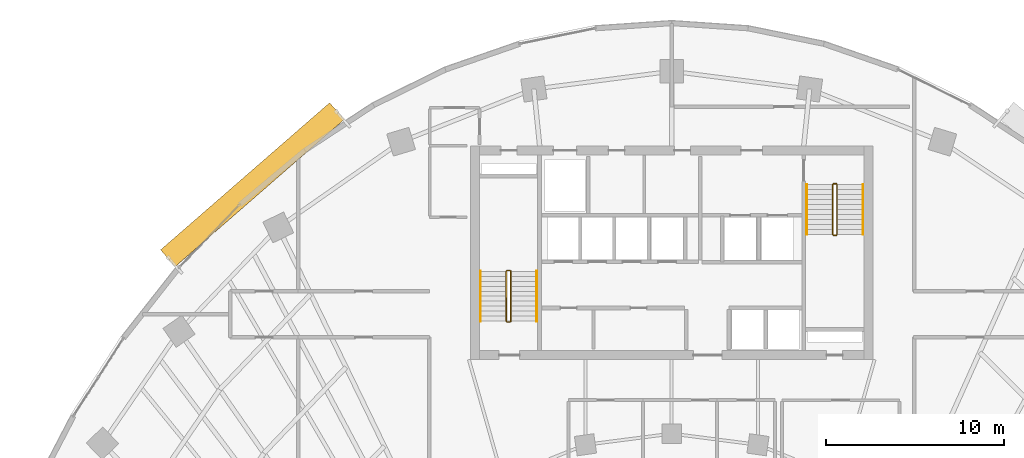
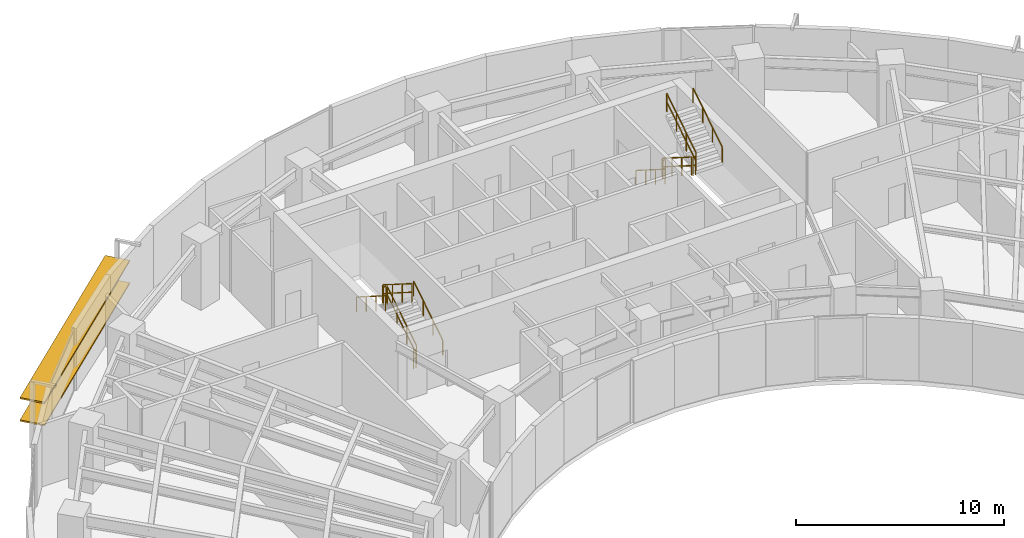
# One storey, part 12 of 13: 12 railings, 2 shading devices.
"""IFC4 building model written with IfcOpenShell, lengths in metres."""

from ifc_helpers import new_model, si_unit, direction, frame, origin, origin_2d, place, context, subcontext, project, spatial, rectangle, extrude, source, transform, mapped, material, material_profile, profile_set, type_object, element, save


model = new_model("IFC4")

# Units and contexts
model_context = context("Model", 3, precision=1e-05, world=origin(), true_north=direction((0.0, 1.0)))
body_context = subcontext(model_context, "Body", "Model", "MODEL_VIEW")
ifc_project = project(units=[si_unit("LENGTHUNIT", "METRE"), si_unit("AREAUNIT", "SQUARE_METRE"), si_unit("VOLUMEUNIT", "CUBIC_METRE"), si_unit("PLANEANGLEUNIT", "RADIAN"), si_unit("MASSUNIT", "GRAM", prefix="KILO")], contexts=[model_context])

# Site, building, storey
site_placement = place(None, origin())
site = spatial("IfcSite", under=ifc_project, at=site_placement, CompositionType="ELEMENT")
building_placement = place(site_placement, origin())
building = spatial("IfcBuilding", under=site, at=building_placement, Name="Breltana Convention Tower", CompositionType="ELEMENT")
storey_placement = place(building_placement, frame((0.0, 0.0, 107.699951171875)))
storey = spatial("IfcBuildingStorey", under=building, at=storey_placement, Name="L25", CompositionType="ELEMENT", Elevation=107.699951171875)

# Railings
ifc_material_1 = material(Name="Steel S275 Painted", Category="steel")
railing_type_1 = type_object("IfcRailingType", Name="RL-STAIR-GUARD-1100", PredefinedType="GUARDRAIL", material=ifc_material_1)
railing_1_placement = place(storey_placement, frame((38.9599609375, 62.360107421875, 0.17724609375)))
element("IfcRailing", 1, at=railing_1_placement, inside=storey, type_object=railing_type_1, Name="L25 ST-1 stair guard 1", PredefinedType="GUARDRAIL", context=body_context, shape_type="SweptSolid", body=[
    extrude(rectangle(XDim=0.048095703125, YDim=0.048095703125, at=origin_2d()), frame((0.0, 0.0, 1.076171875), z_axis=(0.0, 0.844887892834, 0.53494340686), x_axis=(-1.0, 0.0, 0.0)), (0.0, 0.0, 1.0), 3.313720703125),
    extrude(rectangle(XDim=0.048095703125, YDim=0.048095703125, at=origin_2d()), frame((0.0, 0.0, 0.572021484375), z_axis=(0.0, 0.844887892834, 0.53494340686), x_axis=(-1.0, 0.0, 0.0)), (0.0, 0.0, 1.0), 3.313720703125),
    extrude(rectangle(XDim=0.0419921875, YDim=0.0419921875, at=origin_2d()), origin(), (0.0, 0.0, 1.0), 1.052001953125),
    extrude(rectangle(XDim=0.0419921875, YDim=0.0419921875, at=origin_2d()), frame((0.0, 0.933349609375, 0.5908203125)), (0.0, 0.0, 1.0), 1.052001953125),
    extrude(rectangle(XDim=0.0419921875, YDim=0.0419921875, at=origin_2d()), frame((0.0, 1.866455078125, 1.181884765625)), (0.0, 0.0, 1.0), 1.052001953125),
    extrude(rectangle(XDim=0.0419921875, YDim=0.0419921875, at=origin_2d()), frame((0.0, 2.7998046875, 1.772705078125)), (0.0, 0.0, 1.0), 1.052001953125),
])
railing_2_placement = place(storey_placement, frame((38.909912109375, 65.2099609375, 1.949951171875)))
element("IfcRailing", 2, at=railing_2_placement, inside=storey, type_object=railing_type_1, Name="L25 ST-1 stair guard 2", PredefinedType="GUARDRAIL", context=body_context, shape_type="SweptSolid", body=[
    extrude(rectangle(XDim=0.048095703125, YDim=0.048095703125, at=origin_2d()), frame((0.0, 0.0, 1.076171875), z_axis=(-1.0, 0.0, 0.0), x_axis=(0.0, -1.0, 0.0)), (0.0, 0.0, 1.0), 0.14990234375),
    extrude(rectangle(XDim=0.048095703125, YDim=0.048095703125, at=origin_2d()), frame((0.0, 0.0, 0.572021484375), z_axis=(-1.0, 0.0, 0.0), x_axis=(0.0, -1.0, 0.0)), (0.0, 0.0, 1.0), 0.14990234375),
    extrude(rectangle(XDim=0.0419921875, YDim=0.0419921875, at=origin_2d()), origin(), (0.0, 0.0, 1.0), 1.052001953125),
    extrude(rectangle(XDim=0.0419921875, YDim=0.0419921875, at=origin_2d()), frame((-0.14990234375, 0.0, 0.0)), (0.0, 0.0, 1.0), 1.052001953125),
])
railing_3_placement = place(storey_placement, frame((38.7099609375, 65.159912109375, 2.12744140625)))
element("IfcRailing", 3, at=railing_3_placement, inside=storey, type_object=railing_type_1, Name="L25 ST-1 stair guard 3", PredefinedType="GUARDRAIL", context=body_context, shape_type="SweptSolid", body=[
    extrude(rectangle(XDim=0.048095703125, YDim=0.048095703125, at=origin_2d()), frame((0.0, 0.0, 1.076171875), z_axis=(0.0, -0.844887892834, 0.53494340686), x_axis=(1.0, 0.0, 0.0)), (0.0, 0.0, 1.0), 3.313720703125),
    extrude(rectangle(XDim=0.048095703125, YDim=0.048095703125, at=origin_2d()), frame((0.0, 0.0, 0.572021484375), z_axis=(0.0, -0.844887892834, 0.53494340686), x_axis=(1.0, 0.0, 0.0)), (0.0, 0.0, 1.0), 3.313720703125),
    extrude(rectangle(XDim=0.0419921875, YDim=0.0419921875, at=origin_2d()), origin(), (0.0, 0.0, 1.0), 1.052001953125),
    extrude(rectangle(XDim=0.0419921875, YDim=0.0419921875, at=origin_2d()), frame((0.0, -0.933349609375, 0.5908203125)), (0.0, 0.0, 1.0), 1.052001953125),
    extrude(rectangle(XDim=0.0419921875, YDim=0.0419921875, at=origin_2d()), frame((0.0, -1.866455078125, 1.181884765625)), (0.0, 0.0, 1.0), 1.052001953125),
    extrude(rectangle(XDim=0.0419921875, YDim=0.0419921875, at=origin_2d()), frame((0.0, -2.7998046875, 1.772705078125)), (0.0, 0.0, 1.0), 1.052001953125),
])
railing_4_placement = place(storey_placement, frame((38.909912109375, 62.31005859375, 0.0)))
element("IfcRailing", 4, at=railing_4_placement, inside=storey, type_object=railing_type_1, Name="L25 ST-1 stair guard 4", PredefinedType="GUARDRAIL", context=body_context, shape_type="SweptSolid", body=[
    extrude(rectangle(XDim=0.048095703125, YDim=0.048095703125, at=origin_2d()), frame((0.0, 0.0, 1.076171875), z_axis=(-1.0, 0.0, 0.0), x_axis=(0.0, -1.0, 0.0)), (0.0, 0.0, 1.0), 0.14990234375),
    extrude(rectangle(XDim=0.048095703125, YDim=0.048095703125, at=origin_2d()), frame((0.0, 0.0, 0.572021484375), z_axis=(-1.0, 0.0, 0.0), x_axis=(0.0, -1.0, 0.0)), (0.0, 0.0, 1.0), 0.14990234375),
    extrude(rectangle(XDim=0.0419921875, YDim=0.0419921875, at=origin_2d()), origin(), (0.0, 0.0, 1.0), 1.052001953125),
    extrude(rectangle(XDim=0.0419921875, YDim=0.0419921875, at=origin_2d()), frame((-0.14990234375, 0.0, 0.0)), (0.0, 0.0, 1.0), 1.052001953125),
])
railing_5_placement = place(storey_placement, frame((57.0400390625, 70.0400390625, 0.17724609375)))
element("IfcRailing", 5, at=railing_5_placement, inside=storey, type_object=railing_type_1, Name="L25 ST-2 stair guard 1", PredefinedType="GUARDRAIL", context=body_context, shape_type="SweptSolid", body=[
    extrude(rectangle(XDim=0.048095703125, YDim=0.048095703125, at=origin_2d()), frame((0.0, 0.0, 1.076171875), z_axis=(0.0, -0.844908973607, 0.534910110503), x_axis=(1.0, 0.0, 0.0)), (0.0, 0.0, 1.0), 3.31396484375),
    extrude(rectangle(XDim=0.048095703125, YDim=0.048095703125, at=origin_2d()), frame((0.0, 0.0, 0.572021484375), z_axis=(0.0, -0.844908973607, 0.534910110503), x_axis=(1.0, 0.0, 0.0)), (0.0, 0.0, 1.0), 3.31396484375),
    extrude(rectangle(XDim=0.0419921875, YDim=0.0419921875, at=origin_2d()), origin(), (0.0, 0.0, 1.0), 1.052001953125),
    extrude(rectangle(XDim=0.0419921875, YDim=0.0419921875, at=origin_2d()), frame((0.0, -0.933349609375, 0.5908203125)), (0.0, 0.0, 1.0), 1.052001953125),
    extrude(rectangle(XDim=0.0419921875, YDim=0.0419921875, at=origin_2d()), frame((0.0, -1.86669921875, 1.181884765625)), (0.0, 0.0, 1.0), 1.052001953125),
    extrude(rectangle(XDim=0.0419921875, YDim=0.0419921875, at=origin_2d()), frame((0.0, -2.800048828125, 1.772705078125)), (0.0, 0.0, 1.0), 1.052001953125),
])
railing_6_placement = place(storey_placement, frame((57.090087890625, 67.18994140625, 1.949951171875)))
element("IfcRailing", 6, at=railing_6_placement, inside=storey, type_object=railing_type_1, Name="L25 ST-2 stair guard 2", PredefinedType="GUARDRAIL", context=body_context, shape_type="SweptSolid", body=[
    extrude(rectangle(XDim=0.048095703125, YDim=0.048095703125, at=origin_2d()), frame((0.0, 0.0, 1.076171875), z_axis=(1.0, 0.0, 0.0), x_axis=(0.0, 1.0, 0.0)), (0.0, 0.0, 1.0), 0.14990234375),
    extrude(rectangle(XDim=0.048095703125, YDim=0.048095703125, at=origin_2d()), frame((0.0, 0.0, 0.572021484375), z_axis=(1.0, 0.0, 0.0), x_axis=(0.0, 1.0, 0.0)), (0.0, 0.0, 1.0), 0.14990234375),
    extrude(rectangle(XDim=0.0419921875, YDim=0.0419921875, at=origin_2d()), origin(), (0.0, 0.0, 1.0), 1.052001953125),
    extrude(rectangle(XDim=0.0419921875, YDim=0.0419921875, at=origin_2d()), frame((0.14990234375, 0.0, 0.0)), (0.0, 0.0, 1.0), 1.052001953125),
])
railing_7_placement = place(storey_placement, frame((57.2900390625, 67.239990234375, 2.12744140625)))
element("IfcRailing", 7, at=railing_7_placement, inside=storey, type_object=railing_type_1, Name="L25 ST-2 stair guard 3", PredefinedType="GUARDRAIL", context=body_context, shape_type="SweptSolid", body=[
    extrude(rectangle(XDim=0.048095703125, YDim=0.048095703125, at=origin_2d()), frame((0.0, 0.0, 1.076171875), z_axis=(0.0, 0.844908973607, 0.534910110503), x_axis=(-1.0, 0.0, 0.0)), (0.0, 0.0, 1.0), 3.31396484375),
    extrude(rectangle(XDim=0.048095703125, YDim=0.048095703125, at=origin_2d()), frame((0.0, 0.0, 0.572021484375), z_axis=(0.0, 0.844908973607, 0.534910110503), x_axis=(-1.0, 0.0, 0.0)), (0.0, 0.0, 1.0), 3.31396484375),
    extrude(rectangle(XDim=0.0419921875, YDim=0.0419921875, at=origin_2d()), origin(), (0.0, 0.0, 1.0), 1.052001953125),
    extrude(rectangle(XDim=0.0419921875, YDim=0.0419921875, at=origin_2d()), frame((0.0, 0.933349609375, 0.5908203125)), (0.0, 0.0, 1.0), 1.052001953125),
    extrude(rectangle(XDim=0.0419921875, YDim=0.0419921875, at=origin_2d()), frame((0.0, 1.86669921875, 1.181884765625)), (0.0, 0.0, 1.0), 1.052001953125),
    extrude(rectangle(XDim=0.0419921875, YDim=0.0419921875, at=origin_2d()), frame((0.0, 2.800048828125, 1.772705078125)), (0.0, 0.0, 1.0), 1.052001953125),
])
railing_8_placement = place(storey_placement, frame((57.090087890625, 70.090087890625, 0.0)))
element("IfcRailing", 8, at=railing_8_placement, inside=storey, type_object=railing_type_1, Name="L25 ST-2 stair guard 4", PredefinedType="GUARDRAIL", context=body_context, shape_type="SweptSolid", body=[
    extrude(rectangle(XDim=0.048095703125, YDim=0.048095703125, at=origin_2d()), frame((0.0, 0.0, 1.076171875), z_axis=(1.0, 0.0, 0.0), x_axis=(0.0, 1.0, 0.0)), (0.0, 0.0, 1.0), 0.14990234375),
    extrude(rectangle(XDim=0.048095703125, YDim=0.048095703125, at=origin_2d()), frame((0.0, 0.0, 0.572021484375), z_axis=(1.0, 0.0, 0.0), x_axis=(0.0, 1.0, 0.0)), (0.0, 0.0, 1.0), 0.14990234375),
    extrude(rectangle(XDim=0.0419921875, YDim=0.0419921875, at=origin_2d()), origin(), (0.0, 0.0, 1.0), 1.052001953125),
    extrude(rectangle(XDim=0.0419921875, YDim=0.0419921875, at=origin_2d()), frame((0.14990234375, 0.0, 0.0)), (0.0, 0.0, 1.0), 1.052001953125),
])
ifc_material_2 = material(Name="Stainless Steel 316L", Category="steel")
railing_type_2 = type_object("IfcRailingType", Name="RL-STAIR-HANDRAIL-900", PredefinedType="HANDRAIL", material=ifc_material_2)
railing_9_placement = place(storey_placement, frame((40.419921875, 62.360107421875, 0.17724609375)))
element("IfcRailing", 9, at=railing_9_placement, inside=storey, type_object=railing_type_2, Name="L25 ST-1 stair handrail 1", PredefinedType="HANDRAIL", context=body_context, shape_type="SweptSolid", body=[
    extrude(rectangle(XDim=0.048095703125, YDim=0.048095703125, at=origin_2d()), frame((0.0, 0.0, 0.8759765625), z_axis=(0.0, 0.844887892834, 0.53494340686), x_axis=(-1.0, 0.0, 0.0)), (0.0, 0.0, 1.0), 3.313720703125),
    extrude(rectangle(XDim=0.0419921875, YDim=0.0419921875, at=origin_2d()), origin(), (0.0, 0.0, 1.0), 0.851806640625),
    extrude(rectangle(XDim=0.0419921875, YDim=0.0419921875, at=origin_2d()), frame((0.0, 0.933349609375, 0.5908203125)), (0.0, 0.0, 1.0), 0.851806640625),
    extrude(rectangle(XDim=0.0419921875, YDim=0.0419921875, at=origin_2d()), frame((0.0, 1.866455078125, 1.181884765625)), (0.0, 0.0, 1.0), 0.851806640625),
    extrude(rectangle(XDim=0.0419921875, YDim=0.0419921875, at=origin_2d()), frame((0.0, 2.7998046875, 1.772705078125)), (0.0, 0.0, 1.0), 0.851806640625),
])
railing_10_placement = place(storey_placement, frame((37.25, 65.159912109375, 2.12744140625)))
element("IfcRailing", 10, at=railing_10_placement, inside=storey, type_object=railing_type_2, Name="L25 ST-1 stair handrail 2", PredefinedType="HANDRAIL", context=body_context, shape_type="SweptSolid", body=[
    extrude(rectangle(XDim=0.048095703125, YDim=0.048095703125, at=origin_2d()), frame((0.0, 0.0, 0.8759765625), z_axis=(0.0, -0.844887892834, 0.53494340686), x_axis=(1.0, 0.0, 0.0)), (0.0, 0.0, 1.0), 3.313720703125),
    extrude(rectangle(XDim=0.0419921875, YDim=0.0419921875, at=origin_2d()), origin(), (0.0, 0.0, 1.0), 0.851806640625),
    extrude(rectangle(XDim=0.0419921875, YDim=0.0419921875, at=origin_2d()), frame((0.0, -0.933349609375, 0.5908203125)), (0.0, 0.0, 1.0), 0.851806640625),
    extrude(rectangle(XDim=0.0419921875, YDim=0.0419921875, at=origin_2d()), frame((0.0, -1.866455078125, 1.181884765625)), (0.0, 0.0, 1.0), 0.851806640625),
    extrude(rectangle(XDim=0.0419921875, YDim=0.0419921875, at=origin_2d()), frame((0.0, -2.7998046875, 1.772705078125)), (0.0, 0.0, 1.0), 0.851806640625),
])
railing_11_placement = place(storey_placement, frame((55.580078125, 70.0400390625, 0.17724609375)))
element("IfcRailing", 11, at=railing_11_placement, inside=storey, type_object=railing_type_2, Name="L25 ST-2 stair handrail 1", PredefinedType="HANDRAIL", context=body_context, shape_type="SweptSolid", body=[
    extrude(rectangle(XDim=0.048095703125, YDim=0.048095703125, at=origin_2d()), frame((0.0, 0.0, 0.8759765625), z_axis=(0.0, -0.844908973607, 0.534910110503), x_axis=(1.0, 0.0, 0.0)), (0.0, 0.0, 1.0), 3.31396484375),
    extrude(rectangle(XDim=0.0419921875, YDim=0.0419921875, at=origin_2d()), origin(), (0.0, 0.0, 1.0), 0.851806640625),
    extrude(rectangle(XDim=0.0419921875, YDim=0.0419921875, at=origin_2d()), frame((0.0, -0.933349609375, 0.5908203125)), (0.0, 0.0, 1.0), 0.851806640625),
    extrude(rectangle(XDim=0.0419921875, YDim=0.0419921875, at=origin_2d()), frame((0.0, -1.86669921875, 1.181884765625)), (0.0, 0.0, 1.0), 0.851806640625),
    extrude(rectangle(XDim=0.0419921875, YDim=0.0419921875, at=origin_2d()), frame((0.0, -2.800048828125, 1.772705078125)), (0.0, 0.0, 1.0), 0.851806640625),
])
railing_12_placement = place(storey_placement, frame((58.75, 67.239990234375, 2.12744140625)))
element("IfcRailing", 12, at=railing_12_placement, inside=storey, type_object=railing_type_2, Name="L25 ST-2 stair handrail 2", PredefinedType="HANDRAIL", context=body_context, shape_type="SweptSolid", body=[
    extrude(rectangle(XDim=0.048095703125, YDim=0.048095703125, at=origin_2d()), frame((0.0, 0.0, 0.8759765625), z_axis=(0.0, 0.844908973607, 0.534910110503), x_axis=(-1.0, 0.0, 0.0)), (0.0, 0.0, 1.0), 3.31396484375),
    extrude(rectangle(XDim=0.0419921875, YDim=0.0419921875, at=origin_2d()), origin(), (0.0, 0.0, 1.0), 0.851806640625),
    extrude(rectangle(XDim=0.0419921875, YDim=0.0419921875, at=origin_2d()), frame((0.0, 0.933349609375, 0.5908203125)), (0.0, 0.0, 1.0), 0.851806640625),
    extrude(rectangle(XDim=0.0419921875, YDim=0.0419921875, at=origin_2d()), frame((0.0, 1.86669921875, 1.181884765625)), (0.0, 0.0, 1.0), 0.851806640625),
    extrude(rectangle(XDim=0.0419921875, YDim=0.0419921875, at=origin_2d()), frame((0.0, 2.800048828125, 1.772705078125)), (0.0, 0.0, 1.0), 0.851806640625),
])

# Shading devices
ifc_material_3 = material(Name="Limestone Warm Buff Honed", Category="masonry")
ifc_material_profile = material_profile(ifc_material_3, rectangle(XDim=1.25, YDim=0.090087890625, at=origin_2d()), Name="STN-LVR-1250X90")
ifc_profile_set = profile_set([ifc_material_profile], Name="Limestone Warm Buff Honed")
shading_device_type = type_object("IfcShadingDeviceType", Name="SHD-OUTER-SKIN-LIMESTONE-1250", PredefinedType="JALOUSIE", material=ifc_profile_set)
shared_shape = source(origin(), body_context, "Body", "SweptSolid", [
    extrude(rectangle(XDim=1.25, YDim=0.090087890625, at=origin_2d()), origin(), (0.0, 0.0, 1.0), 12.59423828125),
])
for number, where, z_axis, x_axis, name in (
    (13, (19.6826171875, 65.894775390625, 1.31396484375), (0.754366759368, 0.656453191295, 0.0), (-0.656453191295, 0.754366759368, 0.0), "L25 outer skin warm limestone louvre 1.1"),
    (14, (19.6826171875, 65.894775390625, 2.6279296875), (0.754366759368, 0.656453191295, 0.0), (-0.656453191295, 0.754366759368, 0.0), "L25 outer skin warm limestone louvre 1.2"),
):
    element("IfcShadingDevice", number, at=place(storey_placement, frame(where, z_axis=z_axis, x_axis=x_axis)), inside=storey, type_object=shading_device_type, Name=name, PredefinedType="JALOUSIE", context=body_context, shape_type="MappedRepresentation", body=[
        mapped(shared_shape, transform((0.0, 0.0, 0.0), scale=1.0)),
    ])

save(model, "model.ifc")
